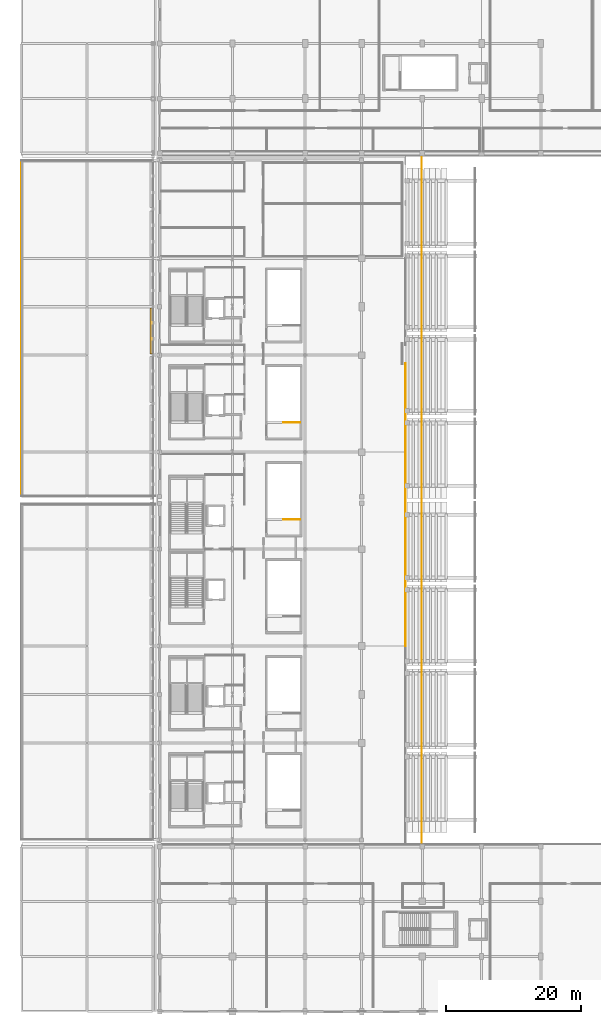
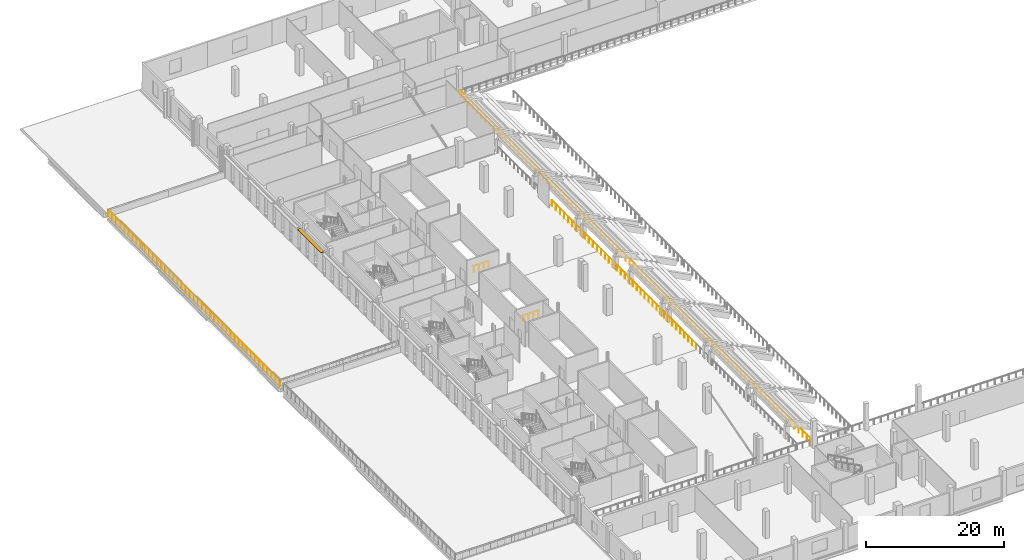
# One storey, part 59 of 74: 6 railings, 1 shading device.
"""IFC4 building model written with IfcOpenShell, lengths in metres."""

from ifc_helpers import new_model, si_unit, direction, frame, origin, origin_2d, place, context, subcontext, project, spatial, rectangle, circle, extrude, material, type_object, element, save


model = new_model("IFC4")

# Units and contexts
model_context = context("Model", 3, precision=1e-05, world=origin(), true_north=direction((0.0, 1.0)))
body_context = subcontext(model_context, "Body", "Model", "MODEL_VIEW")
ifc_project = project(units=[si_unit("LENGTHUNIT", "METRE"), si_unit("AREAUNIT", "SQUARE_METRE"), si_unit("VOLUMEUNIT", "CUBIC_METRE"), si_unit("PLANEANGLEUNIT", "RADIAN"), si_unit("MASSUNIT", "GRAM", prefix="KILO")], contexts=[model_context])

# Site, building, storey
site_placement = place(None, origin())
site = spatial("IfcSite", under=ifc_project, at=site_placement, CompositionType="ELEMENT")
building_placement = place(site_placement, origin())
building = spatial("IfcBuilding", under=site, at=building_placement, Name="Koshinbarg Plaza Stadium", CompositionType="ELEMENT")
storey_placement = place(building_placement, frame((0.0, 0.0, 15.0)))
storey = spatial("IfcBuildingStorey", under=building, at=storey_placement, Name="L03", CompositionType="ELEMENT", Elevation=15.0)

# Railings
ifc_material_1 = material(Name="Toughened laminated glass and stainless steel sightline balustrade", Category="steel")
railing_type_1 = type_object("IfcRailingType", Name="RL-BOWL-1100", PredefinedType="BALUSTRADE", material=ifc_material_1)
railing_1_placement = place(storey_placement, frame((63.52001953125, 25.10009765625, 0.0)))
element("IfcRailing", 1, at=railing_1_placement, inside=storey, type_object=railing_type_1, Name="L03 bowl concourse sightline balustrade 0022", PredefinedType="BALUSTRADE", context=body_context, shape_type="SweptSolid", body=[
    extrude(circle(Radius=0.02392578125, at=origin_2d()), frame((0.0, 0.0, 1.076171875), z_axis=(0.0, 1.0, 0.0), x_axis=(-1.0, 0.0, 0.0)), (0.0, 0.0, 1.0), 101.7998046875),
    extrude(circle(Radius=0.02099609375, at=origin_2d()), origin(), (0.0, 0.0, 1.0), 1.052001953125),
    extrude(circle(Radius=0.02099609375, at=origin_2d()), frame((0.0, 1.19775390625, 0.0)), (0.0, 0.0, 1.0), 1.052001953125),
    extrude(circle(Radius=0.02099609375, at=origin_2d()), frame((0.0, 2.395263671875, 0.0)), (0.0, 0.0, 1.0), 1.052001953125),
    extrude(circle(Radius=0.02099609375, at=origin_2d()), frame((0.0, 3.593017578125, 0.0)), (0.0, 0.0, 1.0), 1.052001953125),
    extrude(circle(Radius=0.02099609375, at=origin_2d()), frame((0.0, 4.79052734375, 0.0)), (0.0, 0.0, 1.0), 1.052001953125),
    extrude(circle(Radius=0.02099609375, at=origin_2d()), frame((0.0, 5.98828125, 0.0)), (0.0, 0.0, 1.0), 1.052001953125),
    extrude(circle(Radius=0.02099609375, at=origin_2d()), frame((0.0, 7.185791015625, 0.0)), (0.0, 0.0, 1.0), 1.052001953125),
    extrude(circle(Radius=0.02099609375, at=origin_2d()), frame((0.0, 8.383544921875, 0.0)), (0.0, 0.0, 1.0), 1.052001953125),
    extrude(circle(Radius=0.02099609375, at=origin_2d()), frame((0.0, 9.5810546875, 0.0)), (0.0, 0.0, 1.0), 1.052001953125),
    extrude(circle(Radius=0.02099609375, at=origin_2d()), frame((0.0, 10.77880859375, 0.0)), (0.0, 0.0, 1.0), 1.052001953125),
    extrude(circle(Radius=0.02099609375, at=origin_2d()), frame((0.0, 11.9765625, 0.0)), (0.0, 0.0, 1.0), 1.052001953125),
    extrude(circle(Radius=0.02099609375, at=origin_2d()), frame((0.0, 13.174072265625, 0.0)), (0.0, 0.0, 1.0), 1.052001953125),
    extrude(circle(Radius=0.02099609375, at=origin_2d()), frame((0.0, 14.371826171875, 0.0)), (0.0, 0.0, 1.0), 1.052001953125),
    extrude(circle(Radius=0.02099609375, at=origin_2d()), frame((0.0, 15.5693359375, 0.0)), (0.0, 0.0, 1.0), 1.052001953125),
    extrude(circle(Radius=0.02099609375, at=origin_2d()), frame((0.0, 16.76708984375, 0.0)), (0.0, 0.0, 1.0), 1.052001953125),
    extrude(circle(Radius=0.02099609375, at=origin_2d()), frame((0.0, 17.964599609375, 0.0)), (0.0, 0.0, 1.0), 1.052001953125),
    extrude(circle(Radius=0.02099609375, at=origin_2d()), frame((0.0, 19.162353515625, 0.0)), (0.0, 0.0, 1.0), 1.052001953125),
    extrude(circle(Radius=0.02099609375, at=origin_2d()), frame((0.0, 20.35986328125, 0.0)), (0.0, 0.0, 1.0), 1.052001953125),
    extrude(circle(Radius=0.02099609375, at=origin_2d()), frame((0.0, 21.5576171875, 0.0)), (0.0, 0.0, 1.0), 1.052001953125),
    extrude(circle(Radius=0.02099609375, at=origin_2d()), frame((0.0, 22.75537109375, 0.0)), (0.0, 0.0, 1.0), 1.052001953125),
    extrude(circle(Radius=0.02099609375, at=origin_2d()), frame((0.0, 23.952880859375, 0.0)), (0.0, 0.0, 1.0), 1.052001953125),
    extrude(circle(Radius=0.02099609375, at=origin_2d()), frame((0.0, 25.150634765625, 0.0)), (0.0, 0.0, 1.0), 1.052001953125),
    extrude(circle(Radius=0.02099609375, at=origin_2d()), frame((0.0, 26.34814453125, 0.0)), (0.0, 0.0, 1.0), 1.052001953125),
    extrude(circle(Radius=0.02099609375, at=origin_2d()), frame((0.0, 27.5458984375, 0.0)), (0.0, 0.0, 1.0), 1.052001953125),
    extrude(circle(Radius=0.02099609375, at=origin_2d()), frame((0.0, 28.743408203125, 0.0)), (0.0, 0.0, 1.0), 1.052001953125),
    extrude(circle(Radius=0.02099609375, at=origin_2d()), frame((0.0, 29.941162109375, 0.0)), (0.0, 0.0, 1.0), 1.052001953125),
    extrude(circle(Radius=0.02099609375, at=origin_2d()), frame((0.0, 31.138671875, 0.0)), (0.0, 0.0, 1.0), 1.052001953125),
    extrude(circle(Radius=0.02099609375, at=origin_2d()), frame((0.0, 32.33642578125, 0.0)), (0.0, 0.0, 1.0), 1.052001953125),
    extrude(circle(Radius=0.02099609375, at=origin_2d()), frame((0.0, 33.533935546875, 0.0)), (0.0, 0.0, 1.0), 1.052001953125),
    extrude(circle(Radius=0.02099609375, at=origin_2d()), frame((0.0, 34.731689453125, 0.0)), (0.0, 0.0, 1.0), 1.052001953125),
    extrude(circle(Radius=0.02099609375, at=origin_2d()), frame((0.0, 35.929443359375, 0.0)), (0.0, 0.0, 1.0), 1.052001953125),
    extrude(circle(Radius=0.02099609375, at=origin_2d()), frame((0.0, 37.126953125, 0.0)), (0.0, 0.0, 1.0), 1.052001953125),
    extrude(circle(Radius=0.02099609375, at=origin_2d()), frame((0.0, 38.32470703125, 0.0)), (0.0, 0.0, 1.0), 1.052001953125),
    extrude(circle(Radius=0.02099609375, at=origin_2d()), frame((0.0, 39.522216796875, 0.0)), (0.0, 0.0, 1.0), 1.052001953125),
    extrude(circle(Radius=0.02099609375, at=origin_2d()), frame((0.0, 40.719970703125, 0.0)), (0.0, 0.0, 1.0), 1.052001953125),
    extrude(circle(Radius=0.02099609375, at=origin_2d()), frame((0.0, 41.91748046875, 0.0)), (0.0, 0.0, 1.0), 1.052001953125),
    extrude(circle(Radius=0.02099609375, at=origin_2d()), frame((0.0, 43.115234375, 0.0)), (0.0, 0.0, 1.0), 1.052001953125),
    extrude(circle(Radius=0.02099609375, at=origin_2d()), frame((0.0, 44.312744140625, 0.0)), (0.0, 0.0, 1.0), 1.052001953125),
    extrude(circle(Radius=0.02099609375, at=origin_2d()), frame((0.0, 45.510498046875, 0.0)), (0.0, 0.0, 1.0), 1.052001953125),
    extrude(circle(Radius=0.02099609375, at=origin_2d()), frame((0.0, 46.708251953125, 0.0)), (0.0, 0.0, 1.0), 1.052001953125),
    extrude(circle(Radius=0.02099609375, at=origin_2d()), frame((0.0, 47.90576171875, 0.0)), (0.0, 0.0, 1.0), 1.052001953125),
    extrude(circle(Radius=0.02099609375, at=origin_2d()), frame((0.0, 49.103515625, 0.0)), (0.0, 0.0, 1.0), 1.052001953125),
    extrude(circle(Radius=0.02099609375, at=origin_2d()), frame((0.0, 50.301025390625, 0.0)), (0.0, 0.0, 1.0), 1.052001953125),
    extrude(circle(Radius=0.02099609375, at=origin_2d()), frame((0.0, 51.498779296875, 0.0)), (0.0, 0.0, 1.0), 1.052001953125),
    extrude(circle(Radius=0.02099609375, at=origin_2d()), frame((0.0, 52.6962890625, 0.0)), (0.0, 0.0, 1.0), 1.052001953125),
    extrude(circle(Radius=0.02099609375, at=origin_2d()), frame((0.0, 53.89404296875, 0.0)), (0.0, 0.0, 1.0), 1.052001953125),
    extrude(circle(Radius=0.02099609375, at=origin_2d()), frame((0.0, 55.091552734375, 0.0)), (0.0, 0.0, 1.0), 1.052001953125),
    extrude(circle(Radius=0.02099609375, at=origin_2d()), frame((0.0, 56.289306640625, 0.0)), (0.0, 0.0, 1.0), 1.052001953125),
    extrude(circle(Radius=0.02099609375, at=origin_2d()), frame((0.0, 57.487060546875, 0.0)), (0.0, 0.0, 1.0), 1.052001953125),
    extrude(circle(Radius=0.02099609375, at=origin_2d()), frame((0.0, 58.6845703125, 0.0)), (0.0, 0.0, 1.0), 1.052001953125),
    extrude(circle(Radius=0.02099609375, at=origin_2d()), frame((0.0, 59.88232421875, 0.0)), (0.0, 0.0, 1.0), 1.052001953125),
    extrude(circle(Radius=0.02099609375, at=origin_2d()), frame((0.0, 61.079833984375, 0.0)), (0.0, 0.0, 1.0), 1.052001953125),
    extrude(circle(Radius=0.02099609375, at=origin_2d()), frame((0.0, 62.277587890625, 0.0)), (0.0, 0.0, 1.0), 1.052001953125),
    extrude(circle(Radius=0.02099609375, at=origin_2d()), frame((0.0, 63.47509765625, 0.0)), (0.0, 0.0, 1.0), 1.052001953125),
    extrude(circle(Radius=0.02099609375, at=origin_2d()), frame((0.0, 64.6728515625, 0.0)), (0.0, 0.0, 1.0), 1.052001953125),
    extrude(circle(Radius=0.02099609375, at=origin_2d()), frame((0.0, 65.870361328125, 0.0)), (0.0, 0.0, 1.0), 1.052001953125),
    extrude(circle(Radius=0.02099609375, at=origin_2d()), frame((0.0, 67.068115234375, 0.0)), (0.0, 0.0, 1.0), 1.052001953125),
    extrude(circle(Radius=0.02099609375, at=origin_2d()), frame((0.0, 68.265869140625, 0.0)), (0.0, 0.0, 1.0), 1.052001953125),
    extrude(circle(Radius=0.02099609375, at=origin_2d()), frame((0.0, 69.46337890625, 0.0)), (0.0, 0.0, 1.0), 1.052001953125),
    extrude(circle(Radius=0.02099609375, at=origin_2d()), frame((0.0, 70.6611328125, 0.0)), (0.0, 0.0, 1.0), 1.052001953125),
    extrude(circle(Radius=0.02099609375, at=origin_2d()), frame((0.0, 71.858642578125, 0.0)), (0.0, 0.0, 1.0), 1.052001953125),
    extrude(circle(Radius=0.02099609375, at=origin_2d()), frame((0.0, 73.056396484375, 0.0)), (0.0, 0.0, 1.0), 1.052001953125),
    extrude(circle(Radius=0.02099609375, at=origin_2d()), frame((0.0, 74.25390625, 0.0)), (0.0, 0.0, 1.0), 1.052001953125),
    extrude(circle(Radius=0.02099609375, at=origin_2d()), frame((0.0, 75.45166015625, 0.0)), (0.0, 0.0, 1.0), 1.052001953125),
    extrude(circle(Radius=0.02099609375, at=origin_2d()), frame((0.0, 76.649169921875, 0.0)), (0.0, 0.0, 1.0), 1.052001953125),
    extrude(circle(Radius=0.02099609375, at=origin_2d()), frame((0.0, 77.846923828125, 0.0)), (0.0, 0.0, 1.0), 1.052001953125),
    extrude(circle(Radius=0.02099609375, at=origin_2d()), frame((0.0, 79.04443359375, 0.0)), (0.0, 0.0, 1.0), 1.052001953125),
    extrude(circle(Radius=0.02099609375, at=origin_2d()), frame((0.0, 80.2421875, 0.0)), (0.0, 0.0, 1.0), 1.052001953125),
    extrude(circle(Radius=0.02099609375, at=origin_2d()), frame((0.0, 81.43994140625, 0.0)), (0.0, 0.0, 1.0), 1.052001953125),
    extrude(circle(Radius=0.02099609375, at=origin_2d()), frame((0.0, 82.637451171875, 0.0)), (0.0, 0.0, 1.0), 1.052001953125),
    extrude(circle(Radius=0.02099609375, at=origin_2d()), frame((0.0, 83.835205078125, 0.0)), (0.0, 0.0, 1.0), 1.052001953125),
    extrude(circle(Radius=0.02099609375, at=origin_2d()), frame((0.0, 85.03271484375, 0.0)), (0.0, 0.0, 1.0), 1.052001953125),
    extrude(circle(Radius=0.02099609375, at=origin_2d()), frame((0.0, 86.23046875, 0.0)), (0.0, 0.0, 1.0), 1.052001953125),
    extrude(circle(Radius=0.02099609375, at=origin_2d()), frame((0.0, 87.427978515625, 0.0)), (0.0, 0.0, 1.0), 1.052001953125),
    extrude(circle(Radius=0.02099609375, at=origin_2d()), frame((0.0, 88.625732421875, 0.0)), (0.0, 0.0, 1.0), 1.052001953125),
    extrude(circle(Radius=0.02099609375, at=origin_2d()), frame((0.0, 89.8232421875, 0.0)), (0.0, 0.0, 1.0), 1.052001953125),
    extrude(circle(Radius=0.02099609375, at=origin_2d()), frame((0.0, 91.02099609375, 0.0)), (0.0, 0.0, 1.0), 1.052001953125),
    extrude(circle(Radius=0.02099609375, at=origin_2d()), frame((0.0, 92.21875, 0.0)), (0.0, 0.0, 1.0), 1.052001953125),
    extrude(circle(Radius=0.02099609375, at=origin_2d()), frame((0.0, 93.416259765625, 0.0)), (0.0, 0.0, 1.0), 1.052001953125),
    extrude(circle(Radius=0.02099609375, at=origin_2d()), frame((0.0, 94.614013671875, 0.0)), (0.0, 0.0, 1.0), 1.052001953125),
    extrude(circle(Radius=0.02099609375, at=origin_2d()), frame((0.0, 95.8115234375, 0.0)), (0.0, 0.0, 1.0), 1.052001953125),
    extrude(circle(Radius=0.02099609375, at=origin_2d()), frame((0.0, 97.00927734375, 0.0)), (0.0, 0.0, 1.0), 1.052001953125),
    extrude(circle(Radius=0.02099609375, at=origin_2d()), frame((0.0, 98.206787109375, 0.0)), (0.0, 0.0, 1.0), 1.052001953125),
    extrude(circle(Radius=0.02099609375, at=origin_2d()), frame((0.0, 99.404541015625, 0.0)), (0.0, 0.0, 1.0), 1.052001953125),
    extrude(circle(Radius=0.02099609375, at=origin_2d()), frame((0.0, 100.60205078125, 0.0)), (0.0, 0.0, 1.0), 1.052001953125),
    extrude(circle(Radius=0.02099609375, at=origin_2d()), frame((0.0, 101.7998046875, 0.0)), (0.0, 0.0, 1.0), 1.052001953125),
])
railing_2_placement = place(storey_placement, frame((61.1201171875, 83.10009765625, 0.0)))
element("IfcRailing", 2, at=railing_2_placement, inside=storey, type_object=railing_type_1, Name="L03 deck edge safety balustrade 0229", PredefinedType="BALUSTRADE", context=body_context, shape_type="SweptSolid", body=[
    extrude(circle(Radius=0.02392578125, at=origin_2d()), frame((0.0, 0.0, 1.076171875), z_axis=(0.0, -1.0, 0.0), x_axis=(1.0, 0.0, 0.0)), (0.0, 0.0, 1.0), 28.800048828125),
    extrude(circle(Radius=0.02099609375, at=origin_2d()), origin(), (0.0, 0.0, 1.0), 1.052001953125),
    extrude(circle(Radius=0.02099609375, at=origin_2d()), frame((0.0, -1.152099609375, 0.0)), (0.0, 0.0, 1.0), 1.052001953125),
    extrude(circle(Radius=0.02099609375, at=origin_2d()), frame((0.0, -2.303955078125, 0.0)), (0.0, 0.0, 1.0), 1.052001953125),
    extrude(circle(Radius=0.02099609375, at=origin_2d()), frame((0.0, -3.4560546875, 0.0)), (0.0, 0.0, 1.0), 1.052001953125),
    extrude(circle(Radius=0.02099609375, at=origin_2d()), frame((0.0, -4.60791015625, 0.0)), (0.0, 0.0, 1.0), 1.052001953125),
    extrude(circle(Radius=0.02099609375, at=origin_2d()), frame((0.0, -5.760009765625, 0.0)), (0.0, 0.0, 1.0), 1.052001953125),
    extrude(circle(Radius=0.02099609375, at=origin_2d()), frame((0.0, -6.912109375, 0.0)), (0.0, 0.0, 1.0), 1.052001953125),
    extrude(circle(Radius=0.02099609375, at=origin_2d()), frame((0.0, -8.06396484375, 0.0)), (0.0, 0.0, 1.0), 1.052001953125),
    extrude(circle(Radius=0.02099609375, at=origin_2d()), frame((0.0, -9.216064453125, 0.0)), (0.0, 0.0, 1.0), 1.052001953125),
    extrude(circle(Radius=0.02099609375, at=origin_2d()), frame((0.0, -10.367919921875, 0.0)), (0.0, 0.0, 1.0), 1.052001953125),
    extrude(circle(Radius=0.02099609375, at=origin_2d()), frame((0.0, -11.52001953125, 0.0)), (0.0, 0.0, 1.0), 1.052001953125),
    extrude(circle(Radius=0.02099609375, at=origin_2d()), frame((0.0, -12.672119140625, 0.0)), (0.0, 0.0, 1.0), 1.052001953125),
    extrude(circle(Radius=0.02099609375, at=origin_2d()), frame((0.0, -13.823974609375, 0.0)), (0.0, 0.0, 1.0), 1.052001953125),
    extrude(circle(Radius=0.02099609375, at=origin_2d()), frame((0.0, -14.97607421875, 0.0)), (0.0, 0.0, 1.0), 1.052001953125),
    extrude(circle(Radius=0.02099609375, at=origin_2d()), frame((0.0, -16.1279296875, 0.0)), (0.0, 0.0, 1.0), 1.052001953125),
    extrude(circle(Radius=0.02099609375, at=origin_2d()), frame((0.0, -17.280029296875, 0.0)), (0.0, 0.0, 1.0), 1.052001953125),
    extrude(circle(Radius=0.02099609375, at=origin_2d()), frame((0.0, -18.43212890625, 0.0)), (0.0, 0.0, 1.0), 1.052001953125),
    extrude(circle(Radius=0.02099609375, at=origin_2d()), frame((0.0, -19.583984375, 0.0)), (0.0, 0.0, 1.0), 1.052001953125),
    extrude(circle(Radius=0.02099609375, at=origin_2d()), frame((0.0, -20.736083984375, 0.0)), (0.0, 0.0, 1.0), 1.052001953125),
    extrude(circle(Radius=0.02099609375, at=origin_2d()), frame((0.0, -21.887939453125, 0.0)), (0.0, 0.0, 1.0), 1.052001953125),
    extrude(circle(Radius=0.02099609375, at=origin_2d()), frame((0.0, -23.0400390625, 0.0)), (0.0, 0.0, 1.0), 1.052001953125),
    extrude(circle(Radius=0.02099609375, at=origin_2d()), frame((0.0, -24.192138671875, 0.0)), (0.0, 0.0, 1.0), 1.052001953125),
    extrude(circle(Radius=0.02099609375, at=origin_2d()), frame((0.0, -25.343994140625, 0.0)), (0.0, 0.0, 1.0), 1.052001953125),
    extrude(circle(Radius=0.02099609375, at=origin_2d()), frame((0.0, -26.49609375, 0.0)), (0.0, 0.0, 1.0), 1.052001953125),
    extrude(circle(Radius=0.02099609375, at=origin_2d()), frame((0.0, -27.64794921875, 0.0)), (0.0, 0.0, 1.0), 1.052001953125),
    extrude(circle(Radius=0.02099609375, at=origin_2d()), frame((0.0, -28.800048828125, 0.0)), (0.0, 0.0, 1.0), 1.052001953125),
])
railing_3_placement = place(storey_placement, frame((61.1201171875, 96.282470703125, 0.0)))
element("IfcRailing", 3, at=railing_3_placement, inside=storey, type_object=railing_type_1, Name="L03 deck edge safety balustrade 0231", PredefinedType="BALUSTRADE", context=body_context, shape_type="SweptSolid", body=[
    extrude(circle(Radius=0.02392578125, at=origin_2d()), frame((0.0, 0.0, 1.076171875), z_axis=(0.0, -1.0, 0.0), x_axis=(1.0, 0.0, 0.0)), (0.0, 0.0, 1.0), 13.182373046875),
    extrude(circle(Radius=0.02099609375, at=origin_2d()), origin(), (0.0, 0.0, 1.0), 1.052001953125),
    extrude(circle(Radius=0.02099609375, at=origin_2d()), frame((0.0, -1.198486328125, 0.0)), (0.0, 0.0, 1.0), 1.052001953125),
    extrude(circle(Radius=0.02099609375, at=origin_2d()), frame((0.0, -2.396728515625, 0.0)), (0.0, 0.0, 1.0), 1.052001953125),
    extrude(circle(Radius=0.02099609375, at=origin_2d()), frame((0.0, -3.59521484375, 0.0)), (0.0, 0.0, 1.0), 1.052001953125),
    extrude(circle(Radius=0.02099609375, at=origin_2d()), frame((0.0, -4.793701171875, 0.0)), (0.0, 0.0, 1.0), 1.052001953125),
    extrude(circle(Radius=0.02099609375, at=origin_2d()), frame((0.0, -5.991943359375, 0.0)), (0.0, 0.0, 1.0), 1.052001953125),
    extrude(circle(Radius=0.02099609375, at=origin_2d()), frame((0.0, -7.1904296875, 0.0)), (0.0, 0.0, 1.0), 1.052001953125),
    extrude(circle(Radius=0.02099609375, at=origin_2d()), frame((0.0, -8.388671875, 0.0)), (0.0, 0.0, 1.0), 1.052001953125),
    extrude(circle(Radius=0.02099609375, at=origin_2d()), frame((0.0, -9.587158203125, 0.0)), (0.0, 0.0, 1.0), 1.052001953125),
    extrude(circle(Radius=0.02099609375, at=origin_2d()), frame((0.0, -10.78564453125, 0.0)), (0.0, 0.0, 1.0), 1.052001953125),
    extrude(circle(Radius=0.02099609375, at=origin_2d()), frame((0.0, -11.98388671875, 0.0)), (0.0, 0.0, 1.0), 1.052001953125),
    extrude(circle(Radius=0.02099609375, at=origin_2d()), frame((0.0, -13.182373046875, 0.0)), (0.0, 0.0, 1.0), 1.052001953125),
])
ifc_material_2 = material(Name="Galvanized painted steel guardrail", Category="steel")
railing_type_2 = type_object("IfcRailingType", Name="RL-GUARD-1100", PredefinedType="GUARDRAIL", material=ifc_material_2)
railing_4_placement = place(storey_placement, frame((4.080078125, 126.419921875, 0.0)))
element("IfcRailing", 4, at=railing_4_placement, inside=storey, type_object=railing_type_2, Name="L03 roof garden RG-L03-NW guard 0003", PredefinedType="GUARDRAIL", context=body_context, shape_type="SweptSolid", body=[
    extrude(circle(Radius=0.02392578125, at=origin_2d()), frame((0.0, 0.0, 1.076171875), z_axis=(0.0, -1.0, 0.0), x_axis=(1.0, 0.0, 0.0)), (0.0, 0.0, 1.0), 49.83984375),
    extrude(circle(Radius=0.02099609375, at=origin_2d()), origin(), (0.0, 0.0, 1.0), 1.052001953125),
    extrude(circle(Radius=0.02099609375, at=origin_2d()), frame((0.0, -1.186767578125, 0.0)), (0.0, 0.0, 1.0), 1.052001953125),
    extrude(circle(Radius=0.02099609375, at=origin_2d()), frame((0.0, -2.373291015625, 0.0)), (0.0, 0.0, 1.0), 1.052001953125),
    extrude(circle(Radius=0.02099609375, at=origin_2d()), frame((0.0, -3.56005859375, 0.0)), (0.0, 0.0, 1.0), 1.052001953125),
    extrude(circle(Radius=0.02099609375, at=origin_2d()), frame((0.0, -4.74658203125, 0.0)), (0.0, 0.0, 1.0), 1.052001953125),
    extrude(circle(Radius=0.02099609375, at=origin_2d()), frame((0.0, -5.933349609375, 0.0)), (0.0, 0.0, 1.0), 1.052001953125),
    extrude(circle(Radius=0.02099609375, at=origin_2d()), frame((0.0, -7.119873046875, 0.0)), (0.0, 0.0, 1.0), 1.052001953125),
    extrude(circle(Radius=0.02099609375, at=origin_2d()), frame((0.0, -8.306640625, 0.0)), (0.0, 0.0, 1.0), 1.052001953125),
    extrude(circle(Radius=0.02099609375, at=origin_2d()), frame((0.0, -9.493408203125, 0.0)), (0.0, 0.0, 1.0), 1.052001953125),
    extrude(circle(Radius=0.02099609375, at=origin_2d()), frame((0.0, -10.679931640625, 0.0)), (0.0, 0.0, 1.0), 1.052001953125),
    extrude(circle(Radius=0.02099609375, at=origin_2d()), frame((0.0, -11.86669921875, 0.0)), (0.0, 0.0, 1.0), 1.052001953125),
    extrude(circle(Radius=0.02099609375, at=origin_2d()), frame((0.0, -13.05322265625, 0.0)), (0.0, 0.0, 1.0), 1.052001953125),
    extrude(circle(Radius=0.02099609375, at=origin_2d()), frame((0.0, -14.239990234375, 0.0)), (0.0, 0.0, 1.0), 1.052001953125),
    extrude(circle(Radius=0.02099609375, at=origin_2d()), frame((0.0, -15.426513671875, 0.0)), (0.0, 0.0, 1.0), 1.052001953125),
    extrude(circle(Radius=0.02099609375, at=origin_2d()), frame((0.0, -16.61328125, 0.0)), (0.0, 0.0, 1.0), 1.052001953125),
    extrude(circle(Radius=0.02099609375, at=origin_2d()), frame((0.0, -17.800048828125, 0.0)), (0.0, 0.0, 1.0), 1.052001953125),
    extrude(circle(Radius=0.02099609375, at=origin_2d()), frame((0.0, -18.986572265625, 0.0)), (0.0, 0.0, 1.0), 1.052001953125),
    extrude(circle(Radius=0.02099609375, at=origin_2d()), frame((0.0, -20.17333984375, 0.0)), (0.0, 0.0, 1.0), 1.052001953125),
    extrude(circle(Radius=0.02099609375, at=origin_2d()), frame((0.0, -21.35986328125, 0.0)), (0.0, 0.0, 1.0), 1.052001953125),
    extrude(circle(Radius=0.02099609375, at=origin_2d()), frame((0.0, -22.546630859375, 0.0)), (0.0, 0.0, 1.0), 1.052001953125),
    extrude(circle(Radius=0.02099609375, at=origin_2d()), frame((0.0, -23.733154296875, 0.0)), (0.0, 0.0, 1.0), 1.052001953125),
    extrude(circle(Radius=0.02099609375, at=origin_2d()), frame((0.0, -24.919921875, 0.0)), (0.0, 0.0, 1.0), 1.052001953125),
    extrude(circle(Radius=0.02099609375, at=origin_2d()), frame((0.0, -26.106689453125, 0.0)), (0.0, 0.0, 1.0), 1.052001953125),
    extrude(circle(Radius=0.02099609375, at=origin_2d()), frame((0.0, -27.293212890625, 0.0)), (0.0, 0.0, 1.0), 1.052001953125),
    extrude(circle(Radius=0.02099609375, at=origin_2d()), frame((0.0, -28.47998046875, 0.0)), (0.0, 0.0, 1.0), 1.052001953125),
    extrude(circle(Radius=0.02099609375, at=origin_2d()), frame((0.0, -29.66650390625, 0.0)), (0.0, 0.0, 1.0), 1.052001953125),
    extrude(circle(Radius=0.02099609375, at=origin_2d()), frame((0.0, -30.853271484375, 0.0)), (0.0, 0.0, 1.0), 1.052001953125),
    extrude(circle(Radius=0.02099609375, at=origin_2d()), frame((0.0, -32.039794921875, 0.0)), (0.0, 0.0, 1.0), 1.052001953125),
    extrude(circle(Radius=0.02099609375, at=origin_2d()), frame((0.0, -33.2265625, 0.0)), (0.0, 0.0, 1.0), 1.052001953125),
    extrude(circle(Radius=0.02099609375, at=origin_2d()), frame((0.0, -34.413330078125, 0.0)), (0.0, 0.0, 1.0), 1.052001953125),
    extrude(circle(Radius=0.02099609375, at=origin_2d()), frame((0.0, -35.599853515625, 0.0)), (0.0, 0.0, 1.0), 1.052001953125),
    extrude(circle(Radius=0.02099609375, at=origin_2d()), frame((0.0, -36.78662109375, 0.0)), (0.0, 0.0, 1.0), 1.052001953125),
    extrude(circle(Radius=0.02099609375, at=origin_2d()), frame((0.0, -37.97314453125, 0.0)), (0.0, 0.0, 1.0), 1.052001953125),
    extrude(circle(Radius=0.02099609375, at=origin_2d()), frame((0.0, -39.159912109375, 0.0)), (0.0, 0.0, 1.0), 1.052001953125),
    extrude(circle(Radius=0.02099609375, at=origin_2d()), frame((0.0, -40.346435546875, 0.0)), (0.0, 0.0, 1.0), 1.052001953125),
    extrude(circle(Radius=0.02099609375, at=origin_2d()), frame((0.0, -41.533203125, 0.0)), (0.0, 0.0, 1.0), 1.052001953125),
    extrude(circle(Radius=0.02099609375, at=origin_2d()), frame((0.0, -42.719970703125, 0.0)), (0.0, 0.0, 1.0), 1.052001953125),
    extrude(circle(Radius=0.02099609375, at=origin_2d()), frame((0.0, -43.906494140625, 0.0)), (0.0, 0.0, 1.0), 1.052001953125),
    extrude(circle(Radius=0.02099609375, at=origin_2d()), frame((0.0, -45.09326171875, 0.0)), (0.0, 0.0, 1.0), 1.052001953125),
    extrude(circle(Radius=0.02099609375, at=origin_2d()), frame((0.0, -46.27978515625, 0.0)), (0.0, 0.0, 1.0), 1.052001953125),
    extrude(circle(Radius=0.02099609375, at=origin_2d()), frame((0.0, -47.466552734375, 0.0)), (0.0, 0.0, 1.0), 1.052001953125),
    extrude(circle(Radius=0.02099609375, at=origin_2d()), frame((0.0, -48.653076171875, 0.0)), (0.0, 0.0, 1.0), 1.052001953125),
    extrude(circle(Radius=0.02099609375, at=origin_2d()), frame((0.0, -49.83984375, 0.0)), (0.0, 0.0, 1.0), 1.052001953125),
])
for number, where, name in (
    (5, (45.469970703125, 73.110107421875, 0.0), "L03 VX04 top stairwell guard 1"),
    (6, (45.469970703125, 87.510009765625, 0.0), "L03 VX05 top stairwell guard 1"),
):
    element("IfcRailing", number, at=place(storey_placement, frame(where)), inside=storey, type_object=railing_type_2, Name=name, PredefinedType="GUARDRAIL", context=body_context, shape_type="SweptSolid", body=[
        extrude(circle(Radius=0.02392578125, at=origin_2d()), frame((0.0, 0.0, 1.076171875), z_axis=(-1.0, 0.0, 0.0), x_axis=(0.0, -1.0, 0.0)), (0.0, 0.0, 1.0), 2.510009765625),
        extrude(circle(Radius=0.02099609375, at=origin_2d()), origin(), (0.0, 0.0, 1.0), 1.052001953125),
        extrude(circle(Radius=0.02099609375, at=origin_2d()), frame((-0.836669921875, 0.0, 0.0)), (0.0, 0.0, 1.0), 1.052001953125),
        extrude(circle(Radius=0.02099609375, at=origin_2d()), frame((-1.67333984375, 0.0, 0.0)), (0.0, 0.0, 1.0), 1.052001953125),
        extrude(circle(Radius=0.02099609375, at=origin_2d()), frame((-2.510009765625, 0.0, 0.0)), (0.0, 0.0, 1.0), 1.052001953125),
    ])

# Shading device
ifc_material_3 = material(Name="Off-white powder-coated aluminium sun-baffle louvre", Category="aluminium")
shading_device_type = type_object("IfcShadingDeviceType", Name="SHD-LOUVRE-01", PredefinedType="USERDEFINED", material=ifc_material_3)
shading_device_placement = place(storey_placement, frame((23.429931640625, 101.10009765625, 4.119873046875), z_axis=(0.0, 0.0, 1.0), x_axis=(1.0, 0.0, 0.0)))
element("IfcShadingDevice", 7, at=shading_device_placement, inside=storey, type_object=shading_device_type, Name="L03 solar brise-soleil louvre 11", ObjectType="LOUVRE", PredefinedType="USERDEFINED", context=body_context, shape_type="SweptSolid", body=[
    extrude(rectangle(XDim=0.550048828125, YDim=6.800048828125, at=origin_2d()), origin(), (0.0, 0.0, 1.0), 0.1201171875),
])

save(model, "model.ifc")
